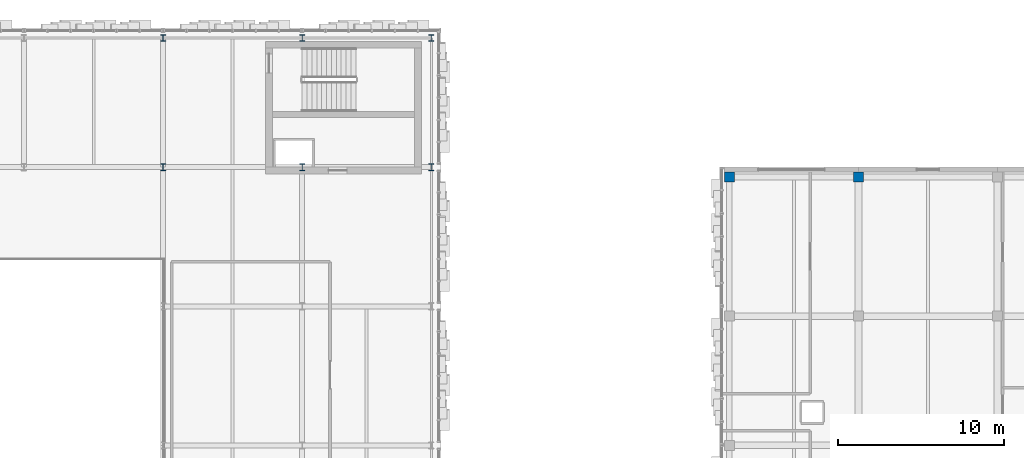
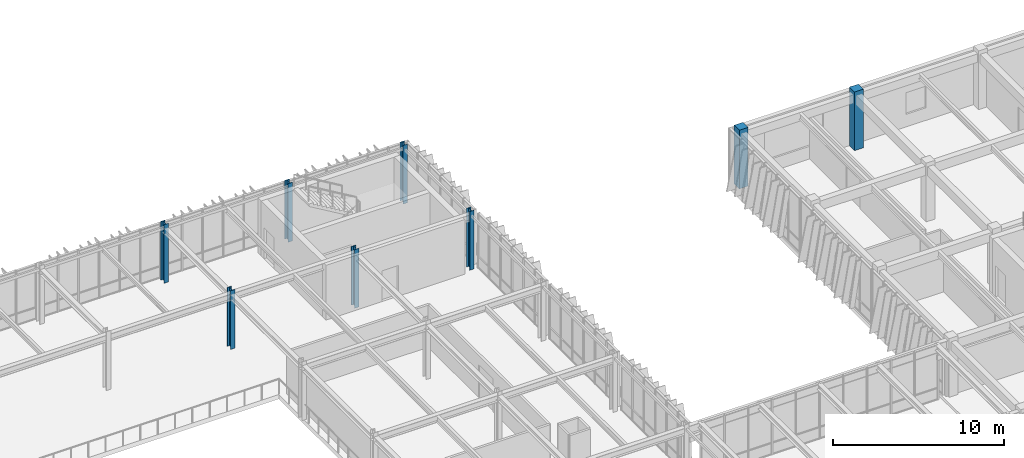
# One storey, part 13 of 127: 8 columns.
"""IFC4 building model written with IfcOpenShell, lengths in metres."""

from ifc_helpers import new_model, si_unit, direction, frame, origin, origin_2d, place, context, subcontext, project, spatial, rectangle, i_section, extrude, material, material_profile, profile_set, type_object, element, save


model = new_model("IFC4")

# Units and contexts
model_context = context("Model", 3, precision=1e-05, world=origin(), true_north=direction((0.0, 1.0)))
body_context = subcontext(model_context, "Body", "Model", "MODEL_VIEW")
ifc_project = project(units=[si_unit("LENGTHUNIT", "METRE"), si_unit("AREAUNIT", "SQUARE_METRE"), si_unit("VOLUMEUNIT", "CUBIC_METRE"), si_unit("PLANEANGLEUNIT", "RADIAN"), si_unit("MASSUNIT", "GRAM", prefix="KILO")], contexts=[model_context])

# Site, building, storey
site_placement = place(None, origin())
site = spatial("IfcSite", under=ifc_project, at=site_placement, CompositionType="ELEMENT")
building_placement = place(site_placement, origin())
building = spatial("IfcBuilding", under=site, at=building_placement, Name="Zayran Congress Hotel", CompositionType="ELEMENT")
storey_placement = place(building_placement, frame((0.0, 0.0, 10.800048828125)))
storey = spatial("IfcBuildingStorey", under=building, at=storey_placement, Name="L02", CompositionType="ELEMENT", Elevation=10.800048828125)

# Columns
ifc_material_1 = material(Name="Concrete C40/50", Category="concrete")
ifc_material_profile_1 = material_profile(ifc_material_1, rectangle(XDim=0.60009765625, YDim=0.60009765625, at=origin_2d()), Name="RC 600x600")
ifc_profile_set_1 = profile_set([ifc_material_profile_1], Name="Concrete C40/50")
column_type_1 = type_object("IfcColumnType", Name="TP-CL-04", PredefinedType="COLUMN", material=ifc_profile_set_1)
for number, where, z_axis, x_axis, name in (
    (1, (109.800048828125, 109.0, 0.0), (0.0, 0.0, 1.0), (1.0, 0.0, 0.0), "COL-V4-L02-0801"),
    (2, (117.60009765625, 109.0, 0.0), (0.0, 0.0, 1.0), (1.0, 0.0, 0.0), "COL-V4-L02-0810"),
):
    element("IfcColumn", number, at=place(storey_placement, frame(where, z_axis=z_axis, x_axis=x_axis)), inside=storey, type_object=column_type_1, Name=name, PredefinedType="COLUMN", context=body_context, shape_type="SweptSolid", body=[
        extrude(rectangle(XDim=0.60009765625, YDim=0.60009765625, at=origin_2d()), origin(), (0.0, 0.0, 1.0), 4.199951171875),
    ])
ifc_material_2 = material(Name="Steel S355", Category="steel")
ifc_material_profile_2 = material_profile(ifc_material_2, i_section(OverallWidth=0.300048828125, OverallDepth=0.39990234375, WebThickness=0.013427734375, FlangeThickness=0.02392578125, at=origin_2d()), Name="HEB 400")
ifc_profile_set_2 = profile_set([ifc_material_profile_2], Name="Steel S355")
column_type_2 = type_object("IfcColumnType", Name="TP-CL-07", PredefinedType="COLUMN", material=ifc_profile_set_2)
for number, where, z_axis, x_axis, name in (
    (3, (75.60009765625, 109.60009765625, 0.0), (0.0, 0.0, 1.0), (1.0, 0.0, 0.0), "COL-V1-L02-0438"),
    (4, (75.60009765625, 117.39990234375, 0.0), (0.0, 0.0, 1.0), (1.0, 0.0, 0.0), "COL-V1-L02-0439"),
    (5, (84.0, 109.60009765625, 0.0), (0.0, 0.0, 1.0), (1.0, 0.0, 0.0), "COL-V1-L02-0445"),
    (6, (84.0, 117.39990234375, 0.0), (0.0, 0.0, 1.0), (1.0, 0.0, 0.0), "COL-V1-L02-0446"),
    (7, (91.800048828125, 109.60009765625, 0.0), (0.0, 0.0, 1.0), (1.0, 0.0, 0.0), "COL-V1-L02-0452"),
    (8, (91.800048828125, 117.39990234375, 0.0), (0.0, 0.0, 1.0), (1.0, 0.0, 0.0), "COL-V1-L02-0453"),
):
    element("IfcColumn", number, at=place(storey_placement, frame(where, z_axis=z_axis, x_axis=x_axis)), inside=storey, type_object=column_type_2, Name=name, PredefinedType="COLUMN", context=body_context, shape_type="SweptSolid", body=[
        extrude(i_section(OverallWidth=0.300048828125, OverallDepth=0.39990234375, WebThickness=0.013427734375, FlangeThickness=0.02392578125, at=origin_2d()), origin(), (0.0, 0.0, 1.0), 4.199951171875),
    ])

save(model, "model.ifc")
